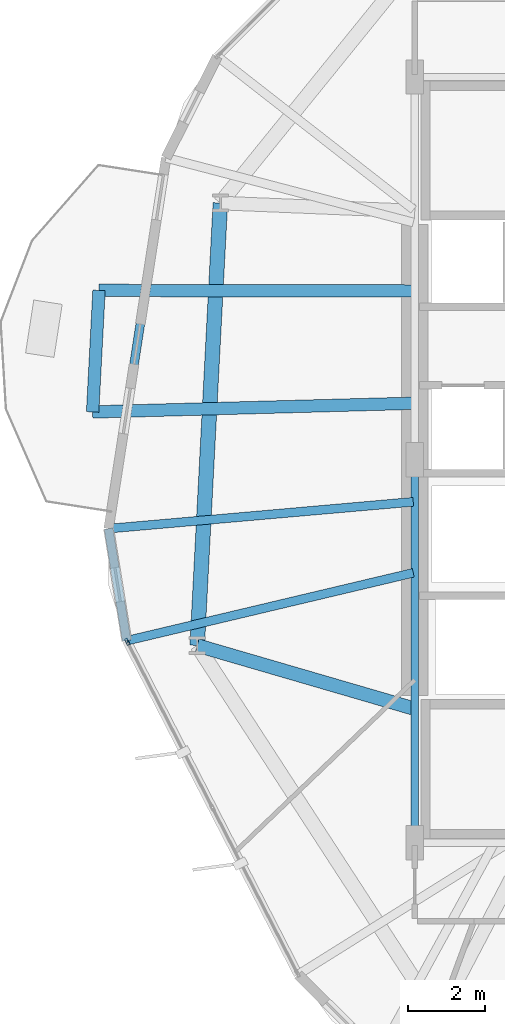
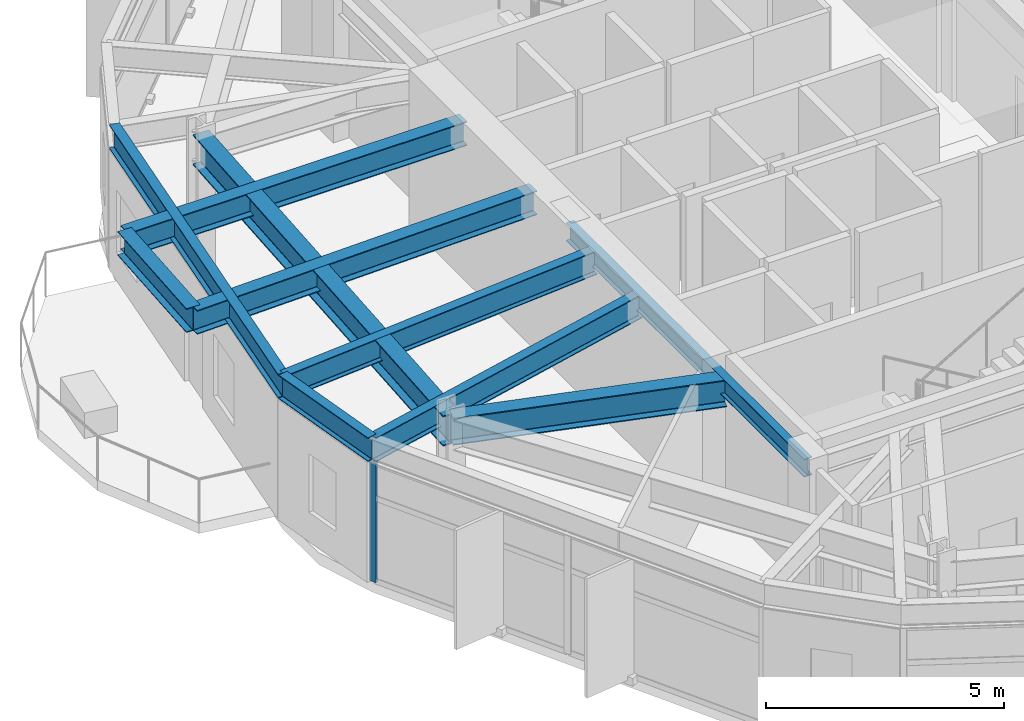
# One storey, part 6 of 23: 10 beams, 1 member, 1 element without a shape of its own.
"""IFC4 building model written with IfcOpenShell, lengths in metres."""

from ifc_helpers import new_model, si_unit, direction, frame, origin, origin_2d, place, context, subcontext, project, spatial, hollow_rectangle, i_section, extrude, material, layer, layer_set, material_profile, profile_set, type_object, element, aggregate, save


model = new_model("IFC4")

# Units and contexts
model_context = context("Model", 3, precision=1e-05, world=origin(), true_north=direction((0.0, 1.0)))
body_context = subcontext(model_context, "Body", "Model", "MODEL_VIEW")
ifc_project = project(units=[si_unit("LENGTHUNIT", "METRE"), si_unit("AREAUNIT", "SQUARE_METRE"), si_unit("VOLUMEUNIT", "CUBIC_METRE"), si_unit("PLANEANGLEUNIT", "RADIAN"), si_unit("MASSUNIT", "GRAM", prefix="KILO")], contexts=[model_context])

# Site, building, storey
site_placement = place(None, origin())
site = spatial("IfcSite", under=ifc_project, at=site_placement, CompositionType="ELEMENT")
building_placement = place(site_placement, origin())
building = spatial("IfcBuilding", under=site, at=building_placement, Name="Soratama Intermodal Tower", CompositionType="ELEMENT")
storey_placement = place(building_placement, frame((0.0, 0.0, 62.60009765625)))
storey = spatial("IfcBuildingStorey", under=building, at=storey_placement, Name="L14", CompositionType="ELEMENT", Elevation=62.60009765625)

# Beams
ifc_material_1 = material(Name="Structural steel ASTM A992 Grade 50", Category="steel")
ifc_material_profile_1 = material_profile(ifc_material_1, i_section(OverallWidth=0.324951171875, OverallDepth=0.615966796875, WebThickness=0.013916015625, FlangeThickness=0.021484375, FilletRadius=0.013916015625, at=origin_2d()), Name="W24X117")
ifc_profile_set_1 = profile_set([ifc_material_profile_1], Name="Structural steel ASTM A992 Grade 50")
beam_type_1 = type_object("IfcBeamType", Name="BM-CANT-W24X117", PredefinedType="BEAM", material=ifc_profile_set_1)
beam_1_placement = place(storey_placement, frame((24.35400390625, 29.427001953125, 3.391845703125), z_axis=(-0.052538675548, -0.998618890054, 0.0), x_axis=(0.998618890054, -0.052538675548, 0.0)))
element("IfcBeam", 1, at=beam_1_placement, inside=storey, type_object=beam_type_1, Name="BM-L14-CBHDR-2", PredefinedType="BEAM", context=body_context, shape_type="SweptSolid", body=[
    extrude(i_section(OverallWidth=0.324951171875, OverallDepth=0.615966796875, WebThickness=0.013916015625, FlangeThickness=0.021484375, FilletRadius=0.013916015625, at=origin_2d()), origin(), (0.0, 0.0, 1.0), 3.178466796875),
])
beam_2_placement = place(storey_placement, frame((32.56005859375, 29.412109375, 3.391845703125), z_axis=(-0.999998353204, 0.001814825049, 0.0), x_axis=(-0.001814825049, -0.999998353204, 0.0)))
element("IfcBeam", 2, at=beam_2_placement, inside=storey, type_object=beam_type_1, Name="BM-L14-CANT-2-1", PredefinedType="BEAM", context=body_context, shape_type="SweptSolid", body=[
    extrude(i_section(OverallWidth=0.324951171875, OverallDepth=0.615966796875, WebThickness=0.013916015625, FlangeThickness=0.021484375, FilletRadius=0.013916015625, at=origin_2d()), origin(), (0.0, 0.0, 1.0), 8.2060546875),
])
beam_3_placement = place(storey_placement, frame((32.56005859375, 26.47998046875, 3.391845703125), z_axis=(-0.999632540457, -0.02710690059, 0.0), x_axis=(0.02710690059, -0.999632540457, 0.0)))
element("IfcBeam", 3, at=beam_3_placement, inside=storey, type_object=beam_type_1, Name="BM-L14-CANT-2-2", PredefinedType="BEAM", context=body_context, shape_type="SweptSolid", body=[
    extrude(i_section(OverallWidth=0.324951171875, OverallDepth=0.615966796875, WebThickness=0.013916015625, FlangeThickness=0.021484375, FilletRadius=0.013916015625, at=origin_2d()), origin(), (0.0, 0.0, 1.0), 8.376220703125),
])
ifc_material_2 = material(Name="Structural steel ASTM A992 Grade 50", Category="steel")
ifc_material_profile_2 = material_profile(ifc_material_2, i_section(OverallWidth=0.19091796875, OverallDepth=0.4599609375, WebThickness=0.010009765625, FlangeThickness=0.01611328125, FilletRadius=0.010986328125, at=origin_2d()), Name="W18X55")
ifc_profile_set_2 = profile_set([ifc_material_profile_2], Name="Structural steel ASTM A992 Grade 50")
beam_type_2 = type_object("IfcBeamType", Name="BM-FLR-W18X55", PredefinedType="BEAM", material=ifc_profile_set_2)
beam_4_placement = place(storey_placement, frame((32.60009765625, 25.0, 3.469970703125), z_axis=(0.0, -1.0, 0.0), x_axis=(1.0, 0.0, 0.0)))
element("IfcBeam", 4, at=beam_4_placement, inside=storey, type_object=beam_type_2, Name="BM-L14-CRING-09", PredefinedType="BEAM", context=body_context, shape_type="SweptSolid", body=[
    extrude(i_section(OverallWidth=0.19091796875, OverallDepth=0.4599609375, WebThickness=0.010009765625, FlangeThickness=0.01611328125, FilletRadius=0.010986328125, at=origin_2d()), origin(), (0.0, 0.0, 1.0), 10.0),
])
ifc_material_3 = material(Name="Structural steel ASTM A992 Grade 50", Category="steel")
ifc_material_profile_3 = material_profile(ifc_material_3, i_section(OverallWidth=0.35498046875, OverallDepth=0.695068359375, WebThickness=0.015380859375, FlangeThickness=0.02490234375, FilletRadius=0.01611328125, at=origin_2d()), Name="W27X146")
ifc_profile_set_3 = profile_set([ifc_material_profile_3], Name="Structural steel ASTM A992 Grade 50")
beam_type_3 = type_object("IfcBeamType", Name="BM-RING-W27X146", PredefinedType="BEAM", material=ifc_profile_set_3)
beam_5_placement = place(storey_placement, frame((32.60009765625, 18.5, 3.352294921875), z_axis=(-0.960102504931, 0.279648314898, 0.0), x_axis=(-0.279648314898, -0.960102504931, 0.0)))
element("IfcBeam", 5, at=beam_5_placement, inside=storey, type_object=beam_type_3, Name="BM-L14-RAD-06", PredefinedType="BEAM", context=body_context, shape_type="SweptSolid", body=[
    extrude(i_section(OverallWidth=0.35498046875, OverallDepth=0.695068359375, WebThickness=0.015380859375, FlangeThickness=0.02490234375, FilletRadius=0.01611328125, at=origin_2d()), origin(), (0.0, 0.0, 1.0), 5.918212890625),
])
ifc_material_4 = material(Name="Structural steel ASTM A992 Grade 50", Category="steel")
ifc_material_profile_4 = material_profile(ifc_material_4, i_section(OverallWidth=0.382080078125, OverallDepth=0.779052734375, WebThickness=0.01806640625, FlangeThickness=0.030029296875, FilletRadius=0.01806640625, at=origin_2d()), Name="W30X191")
ifc_profile_set_4 = profile_set([ifc_material_profile_4], Name="Structural steel ASTM A992 Grade 50")
beam_type_4 = type_object("IfcBeamType", Name="BM-RING-W30X191", PredefinedType="BEAM", material=ifc_profile_set_4)
beam_6_placement = place(storey_placement, frame((27.52294921875, 31.708984375, 3.310302734375), z_axis=(-0.052289698717, -0.998631957935, 0.0), x_axis=(0.998631957935, -0.052289698717, 0.0)))
element("IfcBeam", 6, at=beam_6_placement, inside=storey, type_object=beam_type_4, Name="BM-L14-RING-05", PredefinedType="BEAM", context=body_context, shape_type="SweptSolid", body=[
    extrude(i_section(OverallWidth=0.382080078125, OverallDepth=0.779052734375, WebThickness=0.01806640625, FlangeThickness=0.030029296875, FilletRadius=0.01806640625, at=origin_2d()), origin(), (0.0, 0.0, 1.0), 11.56982421875),
])
ifc_material_5 = material(Name="Structural steel ASTM A992 Grade 50", Category="steel")
ifc_material_profile_5 = material_profile(ifc_material_5, i_section(OverallWidth=0.22900390625, OverallDepth=0.612060546875, WebThickness=0.011962890625, FlangeThickness=0.01953125, FilletRadius=0.012939453125, at=origin_2d()), Name="W24X84")
ifc_profile_set_5 = profile_set([ifc_material_profile_5], Name="Structural steel ASTM A992 Grade 50")
beam_type_5 = type_object("IfcBeamType", Name="BM-SPN-W24X84", PredefinedType="SPANDREL", material=ifc_profile_set_5)
beam_7_placement = place(storey_placement, frame((26.10595703125, 32.889892578125, 3.393798828125), z_axis=(-0.153363754073, -0.988169802684, 0.0), x_axis=(0.988169802684, -0.153363754073, 0.0)))
element("IfcBeam", 7, at=beam_7_placement, inside=storey, type_object=beam_type_5, Name="BS-L14-F05", PredefinedType="SPANDREL", context=body_context, shape_type="SweptSolid", body=[
    extrude(i_section(OverallWidth=0.22900390625, OverallDepth=0.612060546875, WebThickness=0.011962890625, FlangeThickness=0.01953125, FilletRadius=0.012939453125, at=origin_2d()), origin(), (0.0, 0.0, 1.0), 9.7998046875),
])
beam_8_placement = place(storey_placement, frame((24.60302734375, 23.2060546875, 3.393798828125), z_axis=(0.159444651557, -0.98720686945, 0.0), x_axis=(0.98720686945, 0.159444651557, 0.0)))
element("IfcBeam", 8, at=beam_8_placement, inside=storey, type_object=beam_type_5, Name="BS-L14-CRN05", PredefinedType="SPANDREL", context=body_context, shape_type="SweptSolid", body=[
    extrude(i_section(OverallWidth=0.22900390625, OverallDepth=0.612060546875, WebThickness=0.011962890625, FlangeThickness=0.01953125, FilletRadius=0.012939453125, at=origin_2d()), origin(), (0.0, 0.0, 1.0), 2.9658203125),
])
ifc_material_6 = material(Name="Structural steel ASTM A992 Grade 50", Category="steel")
ifc_material_profile_6 = material_profile(ifc_material_6, i_section(OverallWidth=0.22900390625, OverallDepth=0.612060546875, WebThickness=0.011962890625, FlangeThickness=0.01953125, FilletRadius=0.012939453125, at=origin_2d()), Name="W24X84")
ifc_profile_set_6 = profile_set([ifc_material_profile_6], Name="Structural steel ASTM A992 Grade 50")
beam_type_6 = type_object("IfcBeamType", Name="BM-TIE-W24X84", PredefinedType="BEAM", material=ifc_profile_set_6)
beam_9_placement = place(storey_placement, frame((32.56005859375, 23.906005859375, 3.393798828125), z_axis=(-0.996153269089, -0.087627989153, 0.0), x_axis=(0.087627989153, -0.996153269089, 0.0)))
element("IfcBeam", 9, at=beam_9_placement, inside=storey, type_object=beam_type_6, Name="BM-L14-TIE1-05", PredefinedType="BEAM", context=body_context, shape_type="SweptSolid", body=[
    extrude(i_section(OverallWidth=0.22900390625, OverallDepth=0.612060546875, WebThickness=0.011962890625, FlangeThickness=0.01953125, FilletRadius=0.012939453125, at=origin_2d()), origin(), (0.0, 0.0, 1.0), 7.98779296875),
])
beam_10_placement = place(storey_placement, frame((32.56103515625, 22.052001953125, 3.393798828125), z_axis=(-0.973047124499, -0.230606360501, 0.0), x_axis=(0.230606360501, -0.973047124499, 0.0)))
element("IfcBeam", 10, at=beam_10_placement, inside=storey, type_object=beam_type_6, Name="BM-L14-TIE0-06", PredefinedType="BEAM", context=body_context, shape_type="SweptSolid", body=[
    extrude(i_section(OverallWidth=0.22900390625, OverallDepth=0.612060546875, WebThickness=0.011962890625, FlangeThickness=0.01953125, FilletRadius=0.012939453125, at=origin_2d()), origin(), (0.0, 0.0, 1.0), 7.6923828125),
])

# Curtain wall, member
ifc_material_7 = material(Name="Double-glazed aluminium curtain wall", Category="aluminium")
ifc_layer = layer(ifc_material_7, 0.159912109375)
ifc_layer_set = layer_set([ifc_layer], Name="Double-glazed aluminium curtain wall")
curtain_wall_type = type_object("IfcCurtainWallType", Name="CW-SYS-2", PredefinedType="NOTDEFINED", material=ifc_layer_set)
curtain_wall_placement = place(storey_placement, origin())
curtain_wall = element("IfcCurtainWall", 11, at=curtain_wall_placement, inside=storey, type_object=curtain_wall_type, Name="L14 Faceted Curtain Wall F06", PredefinedType="NOTDEFINED")
ifc_material_8 = material(Name="Anodised aluminium AA 6063-T6", Category="aluminium")
ifc_material_profile_7 = material_profile(ifc_material_8, hollow_rectangle(XDim=0.074951171875, YDim=0.179931640625, WallThickness=0.006103515625, InnerFilletRadius=0.006103515625, OuterFilletRadius=0.011962890625, at=origin_2d()), Name="CWM180X75X6")
ifc_profile_set_7 = profile_set([ifc_material_profile_7], Name="Anodised aluminium AA 6063-T6")
member_type = type_object("IfcMemberType", Name="MT-CWM-2", PredefinedType="MULLION", material=ifc_profile_set_7)
member_placement = place(storey_placement, frame((25.090087890625, 20.2509765625, 0.0), z_axis=(0.0, 0.0, 1.0), x_axis=(0.889575647258, 0.456787880537, 0.0)))
member = element("IfcMember", 12, at=member_placement, type_object=member_type, Name="CW-2 mullion 1", PredefinedType="MULLION", context=body_context, shape_type="SweptSolid", body=[
    extrude(hollow_rectangle(XDim=0.074951171875, YDim=0.179931640625, WallThickness=0.006103515625, InnerFilletRadius=0.006103515625, OuterFilletRadius=0.011962890625, at=origin_2d()), origin(), (0.0, 0.0, 1.0), 3.078857421875),
])
aggregate(curtain_wall, [member])

save(model, "model.ifc")
